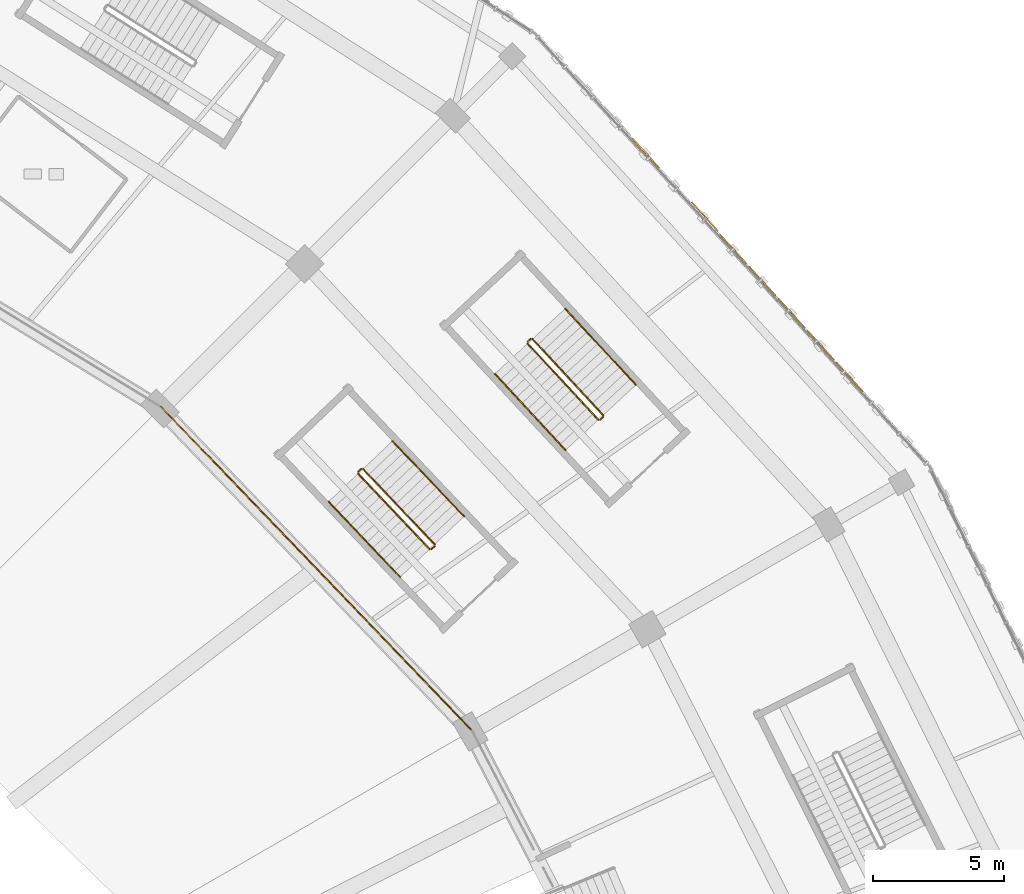
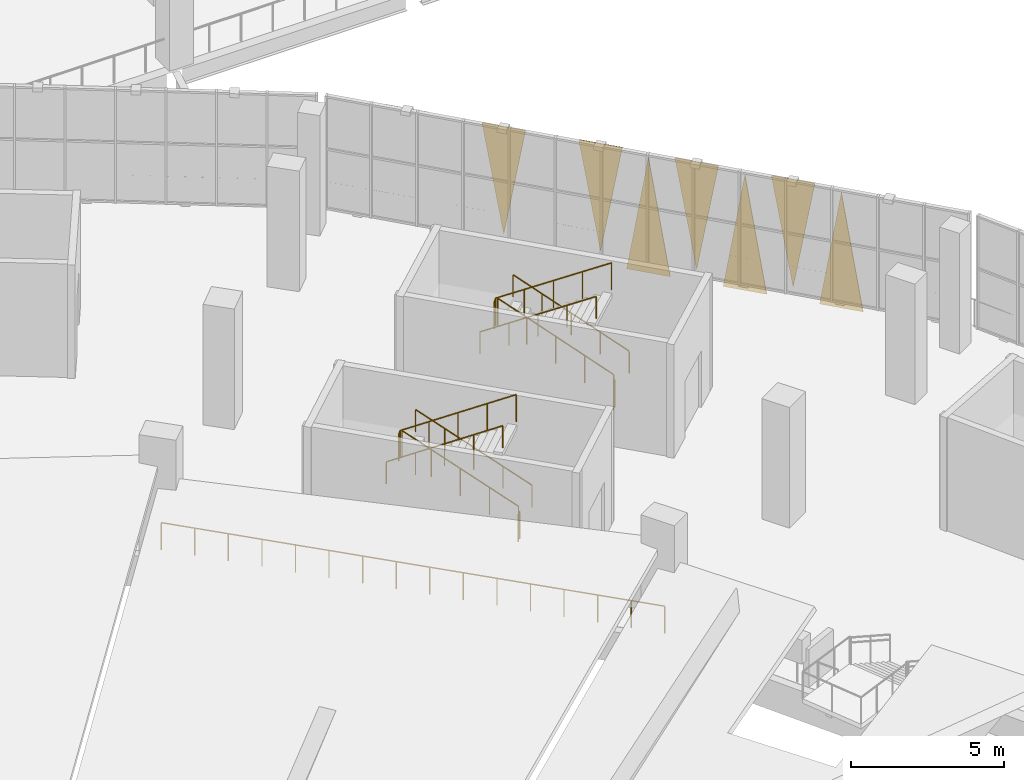
# One storey, part 174 of 183: 13 railings, 7 coverings.
"""IFC4 building model written with IfcOpenShell, lengths in metres."""

from ifc_helpers import new_model, si_unit, direction, frame, origin, origin_2d, place, context, subcontext, project, spatial, polyline, circle, outline, extrude, material, layer, layer_set, type_object, element, save


model = new_model("IFC4")

# Units and contexts
model_context = context("Model", 3, precision=1e-05, world=origin(), true_north=direction((0.0, 1.0)))
body_context = subcontext(model_context, "Body", "Model", "MODEL_VIEW")
ifc_project = project(units=[si_unit("LENGTHUNIT", "METRE"), si_unit("AREAUNIT", "SQUARE_METRE"), si_unit("VOLUMEUNIT", "CUBIC_METRE"), si_unit("PLANEANGLEUNIT", "RADIAN"), si_unit("MASSUNIT", "GRAM", prefix="KILO")], contexts=[model_context])

# Site, building, storey
site_placement = place(None, origin())
site = spatial("IfcSite", under=ifc_project, at=site_placement, CompositionType="ELEMENT")
building_placement = place(site_placement, origin())
building = spatial("IfcBuilding", under=site, at=building_placement, Name="Zevraka Park Crest Stadium", CompositionType="ELEMENT")
storey_placement = place(building_placement, frame((0.0, 0.0, 5.39990234375)))
storey = spatial("IfcBuildingStorey", under=building, at=storey_placement, Name="L01", CompositionType="ELEMENT", Elevation=5.39990234375)

# Coverings
ifc_material_1 = material(Name="Architectural golden-bronze perforated aluminium", Category="aluminium")
ifc_layer = layer(ifc_material_1, 0.034912109375)
ifc_layer_set = layer_set([ifc_layer], Name="Architectural golden-bronze perforated aluminium")
covering_type = type_object("IfcCoveringType", Name="CLD01", PredefinedType="CLADDING", material=ifc_layer_set)
covering_1_placement = place(storey_placement, frame((191.51806640625, 134.73193359375, -0.260009765625), z_axis=(0.738850371143, 0.673869512184, 9.8032371e-05), x_axis=(-0.673869515422, 0.738850374694, 0.0)))
element("IfcCovering", 1, at=covering_1_placement, inside=storey, type_object=covering_type, Name="Triangular Golden-Bronze Perforated Cladding L01-02-3", PredefinedType="CLADDING", context=body_context, shape_type="SweptSolid", body=[
    extrude(outline(polyline([(0.0, 0.0), (1.4915750454979064, -1.3552527156068805e-20), (0.746198820060612, 4.600097678354265), (0.0, 0.0)])), origin(), (0.0, 0.0, -1.0), 0.034912109375),
])
covering_2_placement = place(storey_placement, frame((189.40087890625, 137.053955078125, 4.5), z_axis=(0.739176409064, 0.67351186763, 2.1083183e-05), x_axis=(0.67351186778, -0.739176409229, 0.0)))
element("IfcCovering", 2, at=covering_2_placement, inside=storey, type_object=covering_type, Name="Triangular Golden-Bronze Perforated Cladding L01-02-4", PredefinedType="CLADDING", context=body_context, shape_type="SweptSolid", body=[
    extrude(outline(polyline([(0.0, 0.0), (1.4909171443933684, 0.0), (0.7455407880008564, 4.279785157201184), (0.0, 0.0)])), origin(), (0.0, 0.0, -1.0), 0.034912109375),
])
covering_3_placement = place(storey_placement, frame((189.29296875, 137.172119140625, -0.260009765625), z_axis=(0.739183652813, 0.673503917653, 1.7872411e-05), x_axis=(-0.673503917761, 0.739183652931, 0.0)))
element("IfcCovering", 3, at=covering_3_placement, inside=storey, type_object=covering_type, Name="Triangular Golden-Bronze Perforated Cladding L01-02-5", PredefinedType="CLADDING", context=body_context, shape_type="SweptSolid", body=[
    extrude(outline(polyline([(0.0, 0.0), (1.4905722498806995, 0.0), (0.7451958925608415, 4.600097656984689), (0.0, 0.0)])), origin(), (0.0, 0.0, -1.0), 0.034912109375),
])
covering_4_placement = place(storey_placement, frame((187.176025390625, 139.493896484375, 4.5), z_axis=(0.738857539661, 0.673861651506, 0.000103516595), x_axis=(0.673861655116, -0.73885754362, 0.0)))
element("IfcCovering", 4, at=covering_4_placement, inside=storey, type_object=covering_type, Name="Triangular Golden-Bronze Perforated Cladding L01-02-6", PredefinedType="CLADDING", context=body_context, shape_type="SweptSolid", body=[
    extrude(outline(polyline([(0.0, 0.0), (1.491230143265371, 0.0), (0.74585391307273, 4.279785179180417), (0.0, 0.0)])), origin(), (0.0, 0.0, -1.0), 0.034912109375),
])
covering_5_placement = place(storey_placement, frame((187.069091796875, 139.613037109375, -0.260009765625), z_axis=(0.738552850624, 0.674195584483, 2.6429835e-05), x_axis=(-0.674195584719, 0.738552850882, 0.0)))
element("IfcCovering", 5, at=covering_5_placement, inside=storey, type_object=covering_type, Name="Triangular Golden-Bronze Perforated Cladding L01-02-7", PredefinedType="CLADDING", context=body_context, shape_type="SweptSolid", body=[
    extrude(outline(polyline([(0.0, 0.0), (1.490853657169029, -3.3881317890172014e-21), (0.7461989464222979, 4.600097657856668), (0.0, 0.0)])), origin(), (0.0, 0.0, -1.0), 0.034912109375),
])
covering_6_placement = place(storey_placement, frame((184.951904296875, 141.93505859375, 4.5), z_axis=(-0.738850373217, -0.673869514075, 6.3221652e-05), x_axis=(0.673869515422, -0.738850374694, 0.0)))
element("IfcCovering", 6, at=covering_6_placement, inside=storey, type_object=covering_type, Name="Triangular Golden-Bronze Perforated Cladding L01-02-8", PredefinedType="CLADDING", context=body_context, shape_type="SweptSolid", body=[
    extrude(outline(polyline([(0.0, 0.0), (1.4915750454979064, 0.0), (0.7455407443619579, -4.279785164803103), (0.0, 0.0)])), origin(), (0.0, 0.0, -1.0), 0.034912109375),
])
covering_7_placement = place(storey_placement, frame((182.72802734375, 144.375, 4.5), z_axis=(0.739257935755, 0.673422381884, 0.0), x_axis=(0.673422381884, -0.739257935755, 0.0)))
element("IfcCovering", 7, at=covering_7_placement, inside=storey, type_object=covering_type, Name="Triangular Golden-Bronze Perforated Cladding L01-02-10", PredefinedType="CLADDING", context=body_context, shape_type="SweptSolid", body=[
    extrude(outline(polyline([(0.0, 0.0), (1.4907527237079923, 0.0), (0.7453763618539961, 4.27978515625), (0.0, 0.0)])), origin(), (0.0, 0.0, -1.0), 0.034912109375),
])

# Railings
ifc_material_2 = material(Name="Galvanised and bronze-finished steel balustrade", Category="steel")
railing_type_1 = type_object("IfcRailingType", Name="GR01", PredefinedType="GUARDRAIL", material=ifc_material_2)
railing_1_placement = place(storey_placement, frame((176.570068359375, 121.798095703125, 0.0)))
element("IfcRailing", 8, at=railing_1_placement, inside=storey, type_object=railing_type_1, Name="Deck Edge Protection Guardrail GR01 L01-81", PredefinedType="GUARDRAIL", context=body_context, shape_type="SweptSolid", body=[
    extrude(circle(Radius=0.02392578125, at=origin_2d()), frame((0.0, 0.0, 1.076171875), z_axis=(-0.692883005773, 0.72105002622, 0.0), x_axis=(-0.72105002622, -0.692883005773, 0.0)), (0.0, 0.0, 1.0), 17.10107421875),
    extrude(circle(Radius=0.02099609375, at=origin_2d()), origin(), (0.0, 0.0, 1.0), 1.052001953125),
    extrude(circle(Radius=0.02099609375, at=origin_2d()), frame((-0.7900390625, 0.822021484375, 0.0)), (0.0, 0.0, 1.0), 1.052001953125),
    extrude(circle(Radius=0.02099609375, at=origin_2d()), frame((-1.579833984375, 1.64404296875, 0.0)), (0.0, 0.0, 1.0), 1.052001953125),
    extrude(circle(Radius=0.02099609375, at=origin_2d()), frame((-2.369873046875, 2.466064453125, 0.0)), (0.0, 0.0, 1.0), 1.052001953125),
    extrude(circle(Radius=0.02099609375, at=origin_2d()), frame((-3.15966796875, 3.288330078125, 0.0)), (0.0, 0.0, 1.0), 1.052001953125),
    extrude(circle(Radius=0.02099609375, at=origin_2d()), frame((-3.94970703125, 4.1103515625, 0.0)), (0.0, 0.0, 1.0), 1.052001953125),
    extrude(circle(Radius=0.02099609375, at=origin_2d()), frame((-4.73974609375, 4.932373046875, 0.0)), (0.0, 0.0, 1.0), 1.052001953125),
    extrude(circle(Radius=0.02099609375, at=origin_2d()), frame((-5.529541015625, 5.75439453125, 0.0)), (0.0, 0.0, 1.0), 1.052001953125),
    extrude(circle(Radius=0.02099609375, at=origin_2d()), frame((-6.319580078125, 6.576416015625, 0.0)), (0.0, 0.0, 1.0), 1.052001953125),
    extrude(circle(Radius=0.02099609375, at=origin_2d()), frame((-7.109375, 7.3984375, 0.0)), (0.0, 0.0, 1.0), 1.052001953125),
    extrude(circle(Radius=0.02099609375, at=origin_2d()), frame((-7.8994140625, 8.220458984375, 0.0)), (0.0, 0.0, 1.0), 1.052001953125),
    extrude(circle(Radius=0.02099609375, at=origin_2d()), frame((-8.689453125, 9.04248046875, 0.0)), (0.0, 0.0, 1.0), 1.052001953125),
    extrude(circle(Radius=0.02099609375, at=origin_2d()), frame((-9.479248046875, 9.86474609375, 0.0)), (0.0, 0.0, 1.0), 1.052001953125),
    extrude(circle(Radius=0.02099609375, at=origin_2d()), frame((-10.269287109375, 10.686767578125, 0.0)), (0.0, 0.0, 1.0), 1.052001953125),
    extrude(circle(Radius=0.02099609375, at=origin_2d()), frame((-11.05908203125, 11.5087890625, 0.0)), (0.0, 0.0, 1.0), 1.052001953125),
    extrude(circle(Radius=0.02099609375, at=origin_2d()), frame((-11.84912109375, 12.330810546875, 0.0)), (0.0, 0.0, 1.0), 1.052001953125),
])
ifc_material_3 = material(Name="Powder-coated tubular steel stairwell guard", Category="steel")
railing_type_2 = type_object("IfcRailingType", Name="GR03", PredefinedType="GUARDRAIL", material=ifc_material_3)
railing_2_placement = place(storey_placement, frame((181.589599609375, 133.81787109375, 0.171630859375)))
element("IfcRailing", 9, at=railing_2_placement, inside=storey, type_object=railing_type_2, Name="L01 ST03 stair guard 1", PredefinedType="GUARDRAIL", context=body_context, shape_type="SweptSolid", body=[
    extrude(circle(Radius=0.02392578125, at=origin_2d()), frame((0.0, 0.0, 1.076171875), z_axis=(-0.593016024023, 0.638962957094, 0.489957482557), x_axis=(-0.732968909084, -0.680262139412, 0.0)), (0.0, 0.0, 1.0), 4.54833984375),
    extrude(circle(Radius=0.02099609375, at=origin_2d()), origin(), (0.0, 0.0, 1.0), 1.052001953125),
    extrude(circle(Radius=0.02099609375, at=origin_2d()), frame((-0.67431640625, 0.7265625, 0.55712890625)), (0.0, 0.0, 1.0), 1.052001953125),
    extrude(circle(Radius=0.02099609375, at=origin_2d()), frame((-1.3486328125, 1.453125, 1.1142578125)), (0.0, 0.0, 1.0), 1.052001953125),
    extrude(circle(Radius=0.02099609375, at=origin_2d()), frame((-2.02294921875, 2.1796875, 1.67138671875)), (0.0, 0.0, 1.0), 1.052001953125),
    extrude(circle(Radius=0.02099609375, at=origin_2d()), frame((-2.697265625, 2.90625, 2.228515625)), (0.0, 0.0, 1.0), 1.052001953125),
])
railing_3_placement = place(storey_placement, frame((178.82177734375, 136.726806640625, 2.400146484375)))
element("IfcRailing", 10, at=railing_3_placement, inside=storey, type_object=railing_type_2, Name="L01 ST03 stair guard 2", PredefinedType="GUARDRAIL", context=body_context, shape_type="SweptSolid", body=[
    extrude(circle(Radius=0.02392578125, at=origin_2d()), frame((0.0, 0.0, 1.076171875), z_axis=(-0.732576022975, -0.680685221348, 0.0), x_axis=(0.680685221348, -0.732576022975, 0.0)), (0.0, 0.0, 1.0), 0.159912109375),
    extrude(circle(Radius=0.02099609375, at=origin_2d()), origin(), (0.0, 0.0, 1.0), 1.052001953125),
    extrude(circle(Radius=0.02099609375, at=origin_2d()), frame((-0.1171875, -0.10888671875, 0.0)), (0.0, 0.0, 1.0), 1.052001953125),
])
railing_4_placement = place(storey_placement, frame((178.701904296875, 136.54736328125, 2.571533203125)))
element("IfcRailing", 11, at=railing_4_placement, inside=storey, type_object=railing_type_2, Name="L01 ST03 stair guard 3", PredefinedType="GUARDRAIL", context=body_context, shape_type="SweptSolid", body=[
    extrude(circle(Radius=0.02392578125, at=origin_2d()), frame((0.0, 0.0, 1.076171875), z_axis=(0.593016024023, -0.638962957094, 0.489957482557), x_axis=(0.732968909084, 0.680262139412, 0.0)), (0.0, 0.0, 1.0), 4.54833984375),
    extrude(circle(Radius=0.02099609375, at=origin_2d()), origin(), (0.0, 0.0, 1.0), 1.052001953125),
    extrude(circle(Radius=0.02099609375, at=origin_2d()), frame((0.67431640625, -0.7265625, 0.55712890625)), (0.0, 0.0, 1.0), 1.052001953125),
    extrude(circle(Radius=0.02099609375, at=origin_2d()), frame((1.3486328125, -1.453125, 1.1142578125)), (0.0, 0.0, 1.0), 1.052001953125),
    extrude(circle(Radius=0.02099609375, at=origin_2d()), frame((2.02294921875, -2.1796875, 1.67138671875)), (0.0, 0.0, 1.0), 1.052001953125),
    extrude(circle(Radius=0.02099609375, at=origin_2d()), frame((2.697265625, -2.90625, 2.228515625)), (0.0, 0.0, 1.0), 1.052001953125),
])
railing_5_placement = place(storey_placement, frame((181.5869140625, 133.747314453125, 0.0)))
element("IfcRailing", 12, at=railing_5_placement, inside=storey, type_object=railing_type_2, Name="L01 ST03 stair guard 4", PredefinedType="GUARDRAIL", context=body_context, shape_type="SweptSolid", body=[
    extrude(circle(Radius=0.02392578125, at=origin_2d()), frame((0.0, 0.0, 1.076171875), z_axis=(-0.732576022975, -0.680685221348, 0.0), x_axis=(0.680685221348, -0.732576022975, 0.0)), (0.0, 0.0, 1.0), 0.159912109375),
    extrude(circle(Radius=0.02099609375, at=origin_2d()), origin(), (0.0, 0.0, 1.0), 1.052001953125),
    extrude(circle(Radius=0.02099609375, at=origin_2d()), frame((-0.1171875, -0.10888671875, 0.0)), (0.0, 0.0, 1.0), 1.052001953125),
])
railing_6_placement = place(storey_placement, frame((175.155029296875, 128.885986328125, 0.171630859375)))
element("IfcRailing", 13, at=railing_6_placement, inside=storey, type_object=railing_type_2, Name="L01 ST34 stair guard 1", PredefinedType="GUARDRAIL", context=body_context, shape_type="SweptSolid", body=[
    extrude(circle(Radius=0.02392578125, at=origin_2d()), frame((0.0, 0.0, 1.076171875), z_axis=(-0.600048934609, 0.632362152127, 0.489958553995), x_axis=(-0.725397477, -0.688330226244, 0.0)), (0.0, 0.0, 1.0), 4.54833984375),
    extrude(circle(Radius=0.02099609375, at=origin_2d()), origin(), (0.0, 0.0, 1.0), 1.052001953125),
    extrude(circle(Radius=0.02099609375, at=origin_2d()), frame((-0.682373046875, 0.718994140625, 0.55712890625)), (0.0, 0.0, 1.0), 1.052001953125),
    extrude(circle(Radius=0.02099609375, at=origin_2d()), frame((-1.36474609375, 1.43798828125, 1.1142578125)), (0.0, 0.0, 1.0), 1.052001953125),
    extrude(circle(Radius=0.02099609375, at=origin_2d()), frame((-2.046875, 2.1572265625, 1.67138671875)), (0.0, 0.0, 1.0), 1.052001953125),
    extrude(circle(Radius=0.02099609375, at=origin_2d()), frame((-2.729248046875, 2.876220703125, 2.228515625)), (0.0, 0.0, 1.0), 1.052001953125),
])
railing_7_placement = place(storey_placement, frame((172.35498046875, 131.763916015625, 2.400146484375)))
element("IfcRailing", 14, at=railing_7_placement, inside=storey, type_object=railing_type_2, Name="L01 ST34 stair guard 2", PredefinedType="GUARDRAIL", context=body_context, shape_type="SweptSolid", body=[
    extrude(circle(Radius=0.02392578125, at=origin_2d()), frame((0.0, 0.0, 1.076171875), z_axis=(-0.725189994535, -0.688548815863, 0.0), x_axis=(0.688548815863, -0.725189994535, 0.0)), (0.0, 0.0, 1.0), 0.159912109375),
    extrude(circle(Radius=0.02099609375, at=origin_2d()), origin(), (0.0, 0.0, 1.0), 1.052001953125),
    extrude(circle(Radius=0.02099609375, at=origin_2d()), frame((-0.115966796875, -0.110107421875, 0.0)), (0.0, 0.0, 1.0), 1.052001953125),
])
railing_8_placement = place(storey_placement, frame((172.237060546875, 131.583251953125, 2.571533203125)))
element("IfcRailing", 15, at=railing_8_placement, inside=storey, type_object=railing_type_2, Name="L01 ST34 stair guard 3", PredefinedType="GUARDRAIL", context=body_context, shape_type="SweptSolid", body=[
    extrude(circle(Radius=0.02392578125, at=origin_2d()), frame((0.0, 0.0, 1.076171875), z_axis=(0.600048934609, -0.632362152127, 0.489958553995), x_axis=(0.725397477, 0.688330226244, 0.0)), (0.0, 0.0, 1.0), 4.54833984375),
    extrude(circle(Radius=0.02099609375, at=origin_2d()), origin(), (0.0, 0.0, 1.0), 1.052001953125),
    extrude(circle(Radius=0.02099609375, at=origin_2d()), frame((0.682373046875, -0.718994140625, 0.55712890625)), (0.0, 0.0, 1.0), 1.052001953125),
    extrude(circle(Radius=0.02099609375, at=origin_2d()), frame((1.36474609375, -1.43798828125, 1.1142578125)), (0.0, 0.0, 1.0), 1.052001953125),
    extrude(circle(Radius=0.02099609375, at=origin_2d()), frame((2.046875, -2.1572265625, 1.67138671875)), (0.0, 0.0, 1.0), 1.052001953125),
    extrude(circle(Radius=0.02099609375, at=origin_2d()), frame((2.729248046875, -2.876220703125, 2.228515625)), (0.0, 0.0, 1.0), 1.052001953125),
])
railing_9_placement = place(storey_placement, frame((175.153076171875, 128.815185546875, 0.0)))
element("IfcRailing", 16, at=railing_9_placement, inside=storey, type_object=railing_type_2, Name="L01 ST34 stair guard 4", PredefinedType="GUARDRAIL", context=body_context, shape_type="SweptSolid", body=[
    extrude(circle(Radius=0.02392578125, at=origin_2d()), frame((0.0, 0.0, 1.076171875), z_axis=(-0.725189994535, -0.688548815863, 0.0), x_axis=(0.688548815863, -0.725189994535, 0.0)), (0.0, 0.0, 1.0), 0.159912109375),
    extrude(circle(Radius=0.02099609375, at=origin_2d()), origin(), (0.0, 0.0, 1.0), 1.052001953125),
    extrude(circle(Radius=0.02099609375, at=origin_2d()), frame((-0.115966796875, -0.110107421875, 0.0)), (0.0, 0.0, 1.0), 1.052001953125),
])
ifc_material_4 = material(Name="Brushed stainless steel continuous handrail", Category="steel")
railing_type_3 = type_object("IfcRailingType", Name="HR01", PredefinedType="HANDRAIL", material=ifc_material_4)
railing_10_placement = place(storey_placement, frame((182.835693359375, 134.974365234375, 0.171630859375)))
element("IfcRailing", 17, at=railing_10_placement, inside=storey, type_object=railing_type_3, Name="L01 ST03 stair handrail 1", PredefinedType="HANDRAIL", context=body_context, shape_type="SweptSolid", body=[
    extrude(circle(Radius=0.02392578125, at=origin_2d()), frame((0.0, 0.0, 0.8759765625), z_axis=(-0.593016024023, 0.638962957094, 0.489957482557), x_axis=(-0.732968909084, -0.680262139412, 0.0)), (0.0, 0.0, 1.0), 4.54833984375),
    extrude(circle(Radius=0.02099609375, at=origin_2d()), origin(), (0.0, 0.0, 1.0), 0.851806640625),
    extrude(circle(Radius=0.02099609375, at=origin_2d()), frame((-0.67431640625, 0.7265625, 0.55712890625)), (0.0, 0.0, 1.0), 0.851806640625),
    extrude(circle(Radius=0.02099609375, at=origin_2d()), frame((-1.3486328125, 1.453125, 1.1142578125)), (0.0, 0.0, 1.0), 0.851806640625),
    extrude(circle(Radius=0.02099609375, at=origin_2d()), frame((-2.02294921875, 2.1796875, 1.67138671875)), (0.0, 0.0, 1.0), 0.851806640625),
    extrude(circle(Radius=0.02099609375, at=origin_2d()), frame((-2.697265625, 2.90625, 2.228515625)), (0.0, 0.0, 1.0), 0.851806640625),
])
railing_11_placement = place(storey_placement, frame((177.455810546875, 135.390869140625, 2.571533203125)))
element("IfcRailing", 18, at=railing_11_placement, inside=storey, type_object=railing_type_3, Name="L01 ST03 stair handrail 2", PredefinedType="HANDRAIL", context=body_context, shape_type="SweptSolid", body=[
    extrude(circle(Radius=0.02392578125, at=origin_2d()), frame((0.0, 0.0, 0.8759765625), z_axis=(0.593016024023, -0.638962957094, 0.489957482557), x_axis=(0.732968909084, 0.680262139412, 0.0)), (0.0, 0.0, 1.0), 4.54833984375),
    extrude(circle(Radius=0.02099609375, at=origin_2d()), origin(), (0.0, 0.0, 1.0), 0.851806640625),
    extrude(circle(Radius=0.02099609375, at=origin_2d()), frame((0.67431640625, -0.7265625, 0.55712890625)), (0.0, 0.0, 1.0), 0.851806640625),
    extrude(circle(Radius=0.02099609375, at=origin_2d()), frame((1.3486328125, -1.453125, 1.1142578125)), (0.0, 0.0, 1.0), 0.851806640625),
    extrude(circle(Radius=0.02099609375, at=origin_2d()), frame((2.02294921875, -2.1796875, 1.67138671875)), (0.0, 0.0, 1.0), 0.851806640625),
    extrude(circle(Radius=0.02099609375, at=origin_2d()), frame((2.697265625, -2.90625, 2.228515625)), (0.0, 0.0, 1.0), 0.851806640625),
])
railing_12_placement = place(storey_placement, frame((176.279296875, 129.952880859375, 0.171630859375)))
element("IfcRailing", 19, at=railing_12_placement, inside=storey, type_object=railing_type_3, Name="L01 ST34 stair handrail 1", PredefinedType="HANDRAIL", context=body_context, shape_type="SweptSolid", body=[
    extrude(circle(Radius=0.02392578125, at=origin_2d()), frame((0.0, 0.0, 0.8759765625), z_axis=(-0.600048934609, 0.632362152127, 0.489958553995), x_axis=(-0.725397477, -0.688330226244, 0.0)), (0.0, 0.0, 1.0), 4.54833984375),
    extrude(circle(Radius=0.02099609375, at=origin_2d()), origin(), (0.0, 0.0, 1.0), 0.851806640625),
    extrude(circle(Radius=0.02099609375, at=origin_2d()), frame((-0.682373046875, 0.718994140625, 0.55712890625)), (0.0, 0.0, 1.0), 0.851806640625),
    extrude(circle(Radius=0.02099609375, at=origin_2d()), frame((-1.36474609375, 1.43798828125, 1.1142578125)), (0.0, 0.0, 1.0), 0.851806640625),
    extrude(circle(Radius=0.02099609375, at=origin_2d()), frame((-2.046875, 2.1572265625, 1.67138671875)), (0.0, 0.0, 1.0), 0.851806640625),
    extrude(circle(Radius=0.02099609375, at=origin_2d()), frame((-2.729248046875, 2.876220703125, 2.228515625)), (0.0, 0.0, 1.0), 0.851806640625),
])
railing_13_placement = place(storey_placement, frame((171.11279296875, 130.516357421875, 2.571533203125)))
element("IfcRailing", 20, at=railing_13_placement, inside=storey, type_object=railing_type_3, Name="L01 ST34 stair handrail 2", PredefinedType="HANDRAIL", context=body_context, shape_type="SweptSolid", body=[
    extrude(circle(Radius=0.02392578125, at=origin_2d()), frame((0.0, 0.0, 0.8759765625), z_axis=(0.600048934609, -0.632362152127, 0.489958553995), x_axis=(0.725397477, 0.688330226244, 0.0)), (0.0, 0.0, 1.0), 4.54833984375),
    extrude(circle(Radius=0.02099609375, at=origin_2d()), origin(), (0.0, 0.0, 1.0), 0.851806640625),
    extrude(circle(Radius=0.02099609375, at=origin_2d()), frame((0.682373046875, -0.718994140625, 0.55712890625)), (0.0, 0.0, 1.0), 0.851806640625),
    extrude(circle(Radius=0.02099609375, at=origin_2d()), frame((1.36474609375, -1.43798828125, 1.1142578125)), (0.0, 0.0, 1.0), 0.851806640625),
    extrude(circle(Radius=0.02099609375, at=origin_2d()), frame((2.046875, -2.1572265625, 1.67138671875)), (0.0, 0.0, 1.0), 0.851806640625),
    extrude(circle(Radius=0.02099609375, at=origin_2d()), frame((2.729248046875, -2.876220703125, 2.228515625)), (0.0, 0.0, 1.0), 0.851806640625),
])

save(model, "model.ifc")
